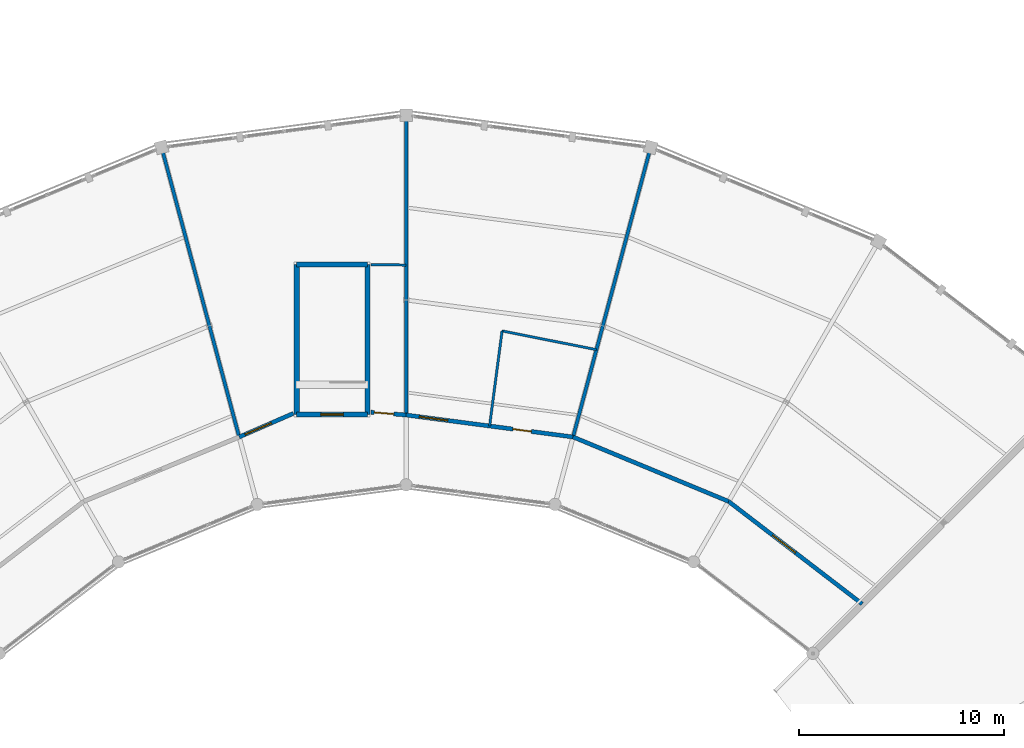
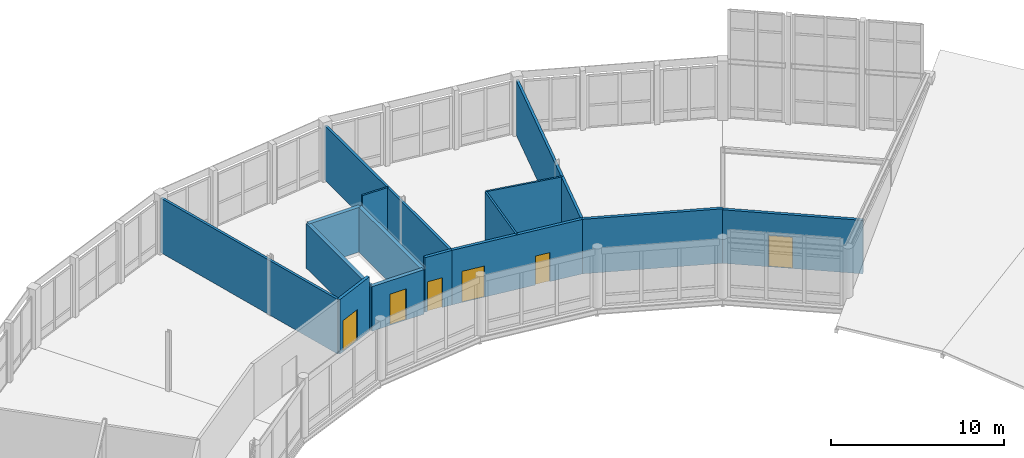
# One storey, part 183 of 200: 15 walls, 6 doors, 6 openings.
"""IFC4 building model written with IfcOpenShell, lengths in metres."""

from ifc_helpers import new_model, si_unit, direction, frame, frame_2d, origin, place, context, subcontext, project, spatial, rectangle, extrude, material, layer, layer_set, type_object, element, fill, save


model = new_model("IFC4")

# Units and contexts
model_context = context("Model", 3, precision=1e-05, world=origin(), true_north=direction((0.0, 1.0)))
body_context = subcontext(model_context, "Body", "Model", "MODEL_VIEW")
ifc_project = project(units=[si_unit("LENGTHUNIT", "METRE"), si_unit("AREAUNIT", "SQUARE_METRE"), si_unit("VOLUMEUNIT", "CUBIC_METRE"), si_unit("PLANEANGLEUNIT", "RADIAN"), si_unit("MASSUNIT", "GRAM", prefix="KILO")], contexts=[model_context])

# Site, building, storey
site_placement = place(None, origin())
site = spatial("IfcSite", under=ifc_project, at=site_placement, CompositionType="ELEMENT")
building_placement = place(site_placement, origin())
building = spatial("IfcBuilding", under=site, at=building_placement, Name="Vondelvale Polytechnic", CompositionType="ELEMENT")
storey_placement = place(building_placement, frame((0.0, 0.0, 13.800048828125)))
storey = spatial("IfcBuildingStorey", under=building, at=storey_placement, Name="L03", CompositionType="ELEMENT", Elevation=13.800048828125)

# Walls
ifc_material_1 = material(Name="Concrete N40 (f'c = 40 MPa)", Category="concrete")
ifc_layer_1 = layer(ifc_material_1, 0.25)
ifc_layer_set_1 = layer_set([ifc_layer_1], Name="WL-CORE-250")
wall_type_1 = type_object("IfcWallType", Name="WL-CORE-250", PredefinedType="SOLIDWALL", material=ifc_layer_set_1)
wall_1_placement = place(storey_placement, frame((100.125, 103.425048828125, 0.0), z_axis=(0.0, 0.0, 1.0), x_axis=(0.0, 1.0, 0.0)))
element("IfcWall", 1, at=wall_1_placement, inside=storey, type_object=wall_type_1, Name="L03 ST-09 reinforced concrete stair core wall", PredefinedType="SOLIDWALL", context=body_context, shape_type="SweptSolid", body=[
    extrude(rectangle(XDim=7.300048828125, YDim=0.25, at=frame_2d((3.64990234375, 0.0))), origin(), (0.0, 0.0, 1.0), 3.14990234375),
])
wall_2_placement = place(storey_placement, frame((100.125, 110.72509765625, 0.0), z_axis=(0.0, 0.0, 1.0), x_axis=(-1.0, 0.0, 0.0)))
element("IfcWall", 2, at=wall_2_placement, inside=storey, type_object=wall_type_1, Name="L03 ST-09 reinforced concrete stair core wall", PredefinedType="SOLIDWALL", context=body_context, shape_type="SweptSolid", body=[
    extrude(rectangle(XDim=3.449951171875, YDim=0.25, at=frame_2d((1.72509765625, 0.0))), origin(), (0.0, 0.0, 1.0), 3.14990234375),
])
wall_3_placement = place(storey_placement, frame((96.675048828125, 110.72509765625, 0.0), z_axis=(0.0, 0.0, 1.0), x_axis=(0.0, -1.0, 0.0)))
element("IfcWall", 3, at=wall_3_placement, inside=storey, type_object=wall_type_1, Name="L03 ST-09 reinforced concrete stair core wall", PredefinedType="SOLIDWALL", context=body_context, shape_type="SweptSolid", body=[
    extrude(rectangle(XDim=7.300048828125, YDim=0.25, at=frame_2d((3.64990234375, 0.0))), origin(), (0.0, 0.0, 1.0), 3.14990234375),
])

# Wall, opening, door
wall_4_placement = place(storey_placement, frame((96.675048828125, 103.425048828125, 0.0), z_axis=(0.0, 0.0, 1.0), x_axis=(1.0, 0.0, 0.0)))
wall_4 = element("IfcWall", 4, at=wall_4_placement, inside=storey, type_object=wall_type_1, Name="L03 ST-09 reinforced concrete stair core wall", PredefinedType="SOLIDWALL", context=body_context, shape_type="SweptSolid", body=[
    extrude(rectangle(XDim=3.449951171875, YDim=0.25, at=frame_2d((1.72509765625, 0.0))), origin(), (0.0, 0.0, 1.0), 3.14990234375),
])
opening_1_placement = place(wall_4_placement, frame((1.175048828125, 0.0, 0.0)))
opening_1 = element("IfcOpeningElement", 5, at=opening_1_placement, cuts=wall_4, Name="Opening SD-051", PredefinedType="OPENING", context=body_context, shape_type="SweptSolid", body=[
    extrude(rectangle(XDim=1.10009765625, YDim=2.199951171875, at=frame_2d((0.550048828125, 1.10009765625))), frame((0.0, 0.135009765625, 0.0), z_axis=(0.0, -1.0, 0.0), x_axis=(1.0, 0.0, 0.0)), (0.0, 0.0, 1.0), 0.27001953125),
])
ifc_material_2 = material(Name="Brushed architectural stainless and zinc-coated metal")
door_type_1 = type_object("IfcDoorType", Name="DR-STAIR-1100x2200", OperationType="SINGLE_SWING_LEFT", PredefinedType="DOOR", material=ifc_material_2)
door_1_placement = place(opening_1_placement, origin())
door_1 = element("IfcDoor", 6, at=door_1_placement, inside=storey, type_object=door_type_1, Name="L03 ST-09 fire-isolated stair door", OperationType="SINGLE_SWING_LEFT", OverallHeight=2.199951171875, OverallWidth=1.10009765625, PredefinedType="DOOR", context=body_context, shape_type="SweptSolid", body=[
    extrude(rectangle(XDim=1.10009765625, YDim=2.199951171875, at=frame_2d((0.550048828125, 1.10009765625))), frame((0.0, 0.02490234375, 0.0), z_axis=(0.0, -1.0, 0.0), x_axis=(1.0, 0.0, 0.0)), (0.0, 0.0, 1.0), 0.050048828125),
])
fill(opening_1, door_1)

# Wall, openings, doors
ifc_material_3 = material(Name="Fire-rated double-layer plasterboard stud partition")
ifc_layer_2 = layer(ifc_material_3, 0.199951171875)
ifc_layer_set_2 = layer_set([ifc_layer_2], Name="WL-CORR-200")
wall_type_2 = type_object("IfcWallType", Name="WL-CORR-200", PredefinedType="PARTITIONING", material=ifc_layer_set_2)
wall_5_placement = place(storey_placement, frame((110.126953125, 102.330078125, 0.0), z_axis=(0.0, 0.0, 1.0), x_axis=(-0.991446589332, 0.130513066404, 0.0)))
wall_5 = element("IfcWall", 7, at=wall_5_placement, inside=storey, type_object=wall_type_2, Name="L03 interior acoustic partition", PredefinedType="PARTITIONING", context=body_context, shape_type="SweptSolid", body=[
    extrude(rectangle(XDim=8.197021484375, YDim=0.199951171875, at=frame_2d((4.0986328125, 0.0))), origin(), (0.0, 0.0, 1.0), 3.849853515625),
])
opening_2_placement = place(wall_5_placement, frame((2.050048828125, 0.0, 0.0)))
opening_2 = element("IfcOpeningElement", 8, at=opening_2_placement, cuts=wall_5, Name="Opening ID-0343", PredefinedType="OPENING", context=body_context, shape_type="SweptSolid", body=[
    extrude(rectangle(XDim=0.89990234375, YDim=2.050048828125, at=frame_2d((0.449951171875, 1.02490234375))), frame((0.0, 0.10986328125, 0.0), z_axis=(0.0, -1.0, 0.0), x_axis=(1.0, 0.0, 0.0)), (0.0, 0.0, 1.0), 0.219970703125),
])
opening_3_placement = place(wall_5_placement, frame((6.14990234375, 0.0, 0.0)))
opening_3 = element("IfcOpeningElement", 9, at=opening_3_placement, cuts=wall_5, Name="Opening ID-0344", PredefinedType="OPENING", context=body_context, shape_type="SweptSolid", body=[
    extrude(rectangle(XDim=1.39990234375, YDim=2.199951171875, at=frame_2d((0.699951171875, 1.10009765625))), frame((0.0, 0.10986328125, 0.0), z_axis=(0.0, -1.0, 0.0), x_axis=(1.0, 0.0, 0.0)), (0.0, 0.0, 1.0), 0.219970703125),
])
ifc_material_4 = material(Name="Fire-rated solid Tasmanian oak joinery")
door_type_2 = type_object("IfcDoorType", Name="DR-LAB-1400x2200", OperationType="DOUBLE_DOOR_SINGLE_SWING", PredefinedType="DOOR", material=ifc_material_4)
door_2_placement = place(opening_3_placement, origin())
door_2 = element("IfcDoor", 10, at=door_2_placement, inside=storey, type_object=door_type_2, Name="L03 interior room door ID-0344", OperationType="DOUBLE_DOOR_SINGLE_SWING", OverallHeight=2.199951171875, OverallWidth=1.39990234375, PredefinedType="DOOR", context=body_context, shape_type="SweptSolid", body=[
    extrude(rectangle(XDim=1.39990234375, YDim=2.199951171875, at=frame_2d((0.699951171875, 1.10009765625))), frame((0.0, 0.02490234375, 0.0), z_axis=(0.0, -1.0, 0.0), x_axis=(1.0, 0.0, 0.0)), (0.0, 0.0, 1.0), 0.050048828125),
])
fill(opening_3, door_2)
door_type_3 = type_object("IfcDoorType", Name="DR-WC-0900x2050", OperationType="SINGLE_SWING_RIGHT", PredefinedType="DOOR", material=ifc_material_4)
door_3_placement = place(opening_2_placement, origin())
door_3 = element("IfcDoor", 11, at=door_3_placement, inside=storey, type_object=door_type_3, Name="L03 interior room door ID-0343", OperationType="SINGLE_SWING_LEFT", OverallHeight=2.050048828125, OverallWidth=0.89990234375, PredefinedType="DOOR", context=body_context, shape_type="SweptSolid", body=[
    extrude(rectangle(XDim=0.89990234375, YDim=2.050048828125, at=frame_2d((0.449951171875, 1.02490234375))), frame((0.0, 0.02490234375, 0.0), z_axis=(0.0, -1.0, 0.0), x_axis=(1.0, 0.0, 0.0)), (0.0, 0.0, 1.0), 0.050048828125),
])
fill(opening_2, door_3)

# Wall, opening, door
wall_6_placement = place(storey_placement, frame((102.0, 103.39990234375, 0.0), z_axis=(0.0, 0.0, 1.0), x_axis=(-0.996807580938, 0.07984138391, 0.0)))
wall_6 = element("IfcWall", 12, at=wall_6_placement, inside=storey, type_object=wall_type_2, Name="L03 interior acoustic partition", PredefinedType="PARTITIONING", context=body_context, shape_type="SweptSolid", body=[
    extrude(rectangle(XDim=1.71533203125, YDim=0.199951171875, at=frame_2d((0.857666015625, 0.0))), origin(), (0.0, 0.0, 1.0), 3.849853515625),
])
opening_4_placement = place(wall_6_placement, frame((0.60546875, 0.0, 0.0)))
opening_4 = element("IfcOpeningElement", 13, at=opening_4_placement, cuts=wall_6, Name="Opening ID-0345", PredefinedType="OPENING", context=body_context, shape_type="SweptSolid", body=[
    extrude(rectangle(XDim=0.949951171875, YDim=2.10009765625, at=frame_2d((0.47509765625, 1.050048828125))), frame((0.0, 0.10986328125, 0.0), z_axis=(0.0, -1.0, 0.0), x_axis=(1.0, 0.0, 0.0)), (0.0, 0.0, 1.0), 0.219970703125),
])
door_type_4 = type_object("IfcDoorType", Name="DR-INT-0950x2100", OperationType="SINGLE_SWING_LEFT", PredefinedType="DOOR", material=ifc_material_4)
door_4_placement = place(opening_4_placement, origin())
door_4 = element("IfcDoor", 14, at=door_4_placement, inside=storey, type_object=door_type_4, Name="L03 interior room door ID-0345", OperationType="SINGLE_SWING_LEFT", OverallHeight=2.10009765625, OverallWidth=0.949951171875, PredefinedType="DOOR", context=body_context, shape_type="SweptSolid", body=[
    extrude(rectangle(XDim=0.949951171875, YDim=2.10009765625, at=frame_2d((0.47509765625, 1.050048828125))), frame((0.0, 0.02490234375, 0.0), z_axis=(0.0, -1.0, 0.0), x_axis=(1.0, 0.0, 0.0)), (0.0, 0.0, 1.0), 0.050048828125),
])
fill(opening_4, door_4)

wall_7_placement = place(storey_placement, frame((96.510009765625, 103.478271484375, 0.0), z_axis=(0.0, 0.0, 1.0), x_axis=(-0.916855346374, -0.399219580964, 0.0)))
wall_7 = element("IfcWall", 15, at=wall_7_placement, inside=storey, type_object=wall_type_2, Name="L03 interior acoustic partition", PredefinedType="PARTITIONING", context=body_context, shape_type="SweptSolid", body=[
    extrude(rectangle(XDim=2.8759765625, YDim=0.199951171875, at=frame_2d((1.43798828125, 0.0))), origin(), (0.0, 0.0, 1.0), 3.849853515625),
])
opening_5_placement = place(wall_7_placement, frame((1.170166015625, 0.0, 0.0)))
opening_5 = element("IfcOpeningElement", 16, at=opening_5_placement, cuts=wall_7, Name="Opening ID-0346", PredefinedType="OPENING", context=body_context, shape_type="SweptSolid", body=[
    extrude(rectangle(XDim=1.39990234375, YDim=2.199951171875, at=frame_2d((0.699951171875, 1.10009765625))), frame((0.0, 0.10986328125, 0.0), z_axis=(0.0, -1.0, 0.0), x_axis=(1.0, 0.0, 0.0)), (0.0, 0.0, 1.0), 0.219970703125),
])
door_5_placement = place(opening_5_placement, origin())
door_5 = element("IfcDoor", 17, at=door_5_placement, inside=storey, type_object=door_type_2, Name="L03 interior room door ID-0346", OperationType="DOUBLE_DOOR_SINGLE_SWING", OverallHeight=2.199951171875, OverallWidth=1.39990234375, PredefinedType="DOOR", context=body_context, shape_type="SweptSolid", body=[
    extrude(rectangle(XDim=1.39990234375, YDim=2.199951171875, at=frame_2d((0.699951171875, 1.10009765625))), frame((0.0, 0.02490234375, 0.0), z_axis=(0.0, -1.0, 0.0), x_axis=(1.0, 0.0, 0.0)), (0.0, 0.0, 1.0), 0.050048828125),
])
fill(opening_5, door_5)

wall_8_placement = place(storey_placement, frame((124.203125, 94.203125, 0.0), z_axis=(0.0, 0.0, 1.0), x_axis=(-0.793357497113, 0.608756011694, 0.0)))
wall_8 = element("IfcWall", 18, at=wall_8_placement, inside=storey, type_object=wall_type_2, Name="L03 interior acoustic partition", PredefinedType="PARTITIONING", context=body_context, shape_type="SweptSolid", body=[
    extrude(rectangle(XDim=8.197021484375, YDim=0.199951171875, at=frame_2d((4.0986328125, 0.0))), origin(), (0.0, 0.0, 1.0), 3.77685546875),
])
opening_6_placement = place(wall_8_placement, frame((4.10009765625, 0.0, 0.0)))
opening_6 = element("IfcOpeningElement", 19, at=opening_6_placement, cuts=wall_8, Name="Opening ID-0349", PredefinedType="OPENING", context=body_context, shape_type="SweptSolid", body=[
    extrude(rectangle(XDim=1.39990234375, YDim=2.199951171875, at=frame_2d((0.699951171875, 1.10009765625))), frame((0.0, 0.10986328125, 0.0), z_axis=(0.0, -1.0, 0.0), x_axis=(1.0, 0.0, 0.0)), (0.0, 0.0, 1.0), 0.219970703125),
])
door_6_placement = place(opening_6_placement, origin())
door_6 = element("IfcDoor", 20, at=door_6_placement, inside=storey, type_object=door_type_2, Name="L03 interior room door ID-0349", OperationType="DOUBLE_DOOR_SINGLE_SWING", OverallHeight=2.199951171875, OverallWidth=1.39990234375, PredefinedType="DOOR", context=body_context, shape_type="SweptSolid", body=[
    extrude(rectangle(XDim=1.39990234375, YDim=2.199951171875, at=frame_2d((0.699951171875, 1.10009765625))), frame((0.0, 0.02490234375, 0.0), z_axis=(0.0, -1.0, 0.0), x_axis=(1.0, 0.0, 0.0)), (0.0, 0.0, 1.0), 0.050048828125),
])
fill(opening_6, door_6)

# Walls
wall_9_placement = place(storey_placement, frame((117.699951171875, 99.193115234375, 0.0), z_axis=(0.0, 0.0, 1.0), x_axis=(-0.923874167149, 0.382696385238, 0.0)))
element("IfcWall", 21, at=wall_9_placement, inside=storey, type_object=wall_type_2, Name="L03 interior acoustic partition", PredefinedType="PARTITIONING", context=body_context, shape_type="SweptSolid", body=[
    extrude(rectangle(XDim=8.197021484375, YDim=0.199951171875, at=frame_2d((4.0986328125, 0.0))), origin(), (0.0, 0.0, 1.0), 3.849853515625),
])
ifc_layer_3 = layer(ifc_material_3, 0.1201171875)
ifc_layer_set_3 = layer_set([ifc_layer_3], Name="WL-INT-120")
wall_type_3 = type_object("IfcWallType", Name="WL-INT-120", PredefinedType="PARTITIONING", material=ifc_layer_set_3)
wall_10_placement = place(storey_placement, frame((106.0634765625, 102.864990234375, 0.0), z_axis=(0.0, 0.0, 1.0), x_axis=(0.130526207551, 0.991444859356, 0.0)))
element("IfcWall", 22, at=wall_10_placement, inside=storey, type_object=wall_type_3, Name="L03 interior acoustic partition", PredefinedType="PARTITIONING", context=body_context, shape_type="SweptSolid", body=[
    extrude(rectangle(XDim=4.668701171875, YDim=0.1201171875, at=frame_2d((2.33447265625, 0.0))), origin(), (0.0, 0.0, 1.0), 3.849853515625),
])
wall_11_placement = place(storey_placement, frame((111.265625, 106.580078125, 0.0), z_axis=(0.0, 0.0, 1.0), x_axis=(-0.980784676414, 0.195093358449, 0.0)))
element("IfcWall", 23, at=wall_11_placement, inside=storey, type_object=wall_type_3, Name="L03 interior acoustic partition", PredefinedType="PARTITIONING", context=body_context, shape_type="SweptSolid", body=[
    extrude(rectangle(XDim=4.682861328125, YDim=0.1201171875, at=frame_2d((2.34130859375, 0.0))), origin(), (0.0, 0.0, 1.0), 3.849853515625),
])
wall_12_placement = place(storey_placement, frame((100.2900390625, 110.722900390625, 0.0), z_axis=(0.0, 0.0, 1.0), x_axis=(0.999909951855, -0.013419693814, 0.0)))
element("IfcWall", 24, at=wall_12_placement, inside=storey, type_object=wall_type_3, Name="L03 interior acoustic partition", PredefinedType="PARTITIONING", context=body_context, shape_type="SweptSolid", body=[
    extrude(rectangle(XDim=1.710205078125, YDim=0.1201171875, at=frame_2d((0.85498046875, 0.0))), origin(), (0.0, 0.0, 1.0), 3.849853515625),
])
ifc_layer_4 = layer(ifc_material_3, 0.1650390625)
ifc_layer_set_4 = layer_set([ifc_layer_4], Name="WL-INT-165")
wall_type_4 = type_object("IfcWallType", Name="WL-INT-165", PredefinedType="PARTITIONING", material=ifc_layer_set_4)
for number, where, z_axis, x_axis, name in (
    (25, (110.126953125, 102.330078125, 0.0), (0.0, 0.0, 1.0), (0.258810530041, 0.965928107853, 0.0), "L03 interior acoustic partition"),
    (26, (102.0, 103.39990234375, 0.0), (0.0, 0.0, 1.0), (0.0, 1.0, 0.0), "L03 interior acoustic partition"),
    (27, (93.873046875, 102.330078125, 0.0), (0.0, 0.0, 1.0), (-0.258810530041, 0.965928107853, 0.0), "L03 interior acoustic partition"),
):
    element("IfcWall", number, at=place(storey_placement, frame(where, z_axis=z_axis, x_axis=x_axis)), inside=storey, type_object=wall_type_4, Name=name, PredefinedType="PARTITIONING", context=body_context, shape_type="SweptSolid", body=[
        extrude(rectangle(XDim=14.47998046875, YDim=0.1650390625, at=frame_2d((7.239990234375, 0.0))), origin(), (0.0, 0.0, 1.0), 3.849853515625),
    ])

save(model, "model.ifc")
